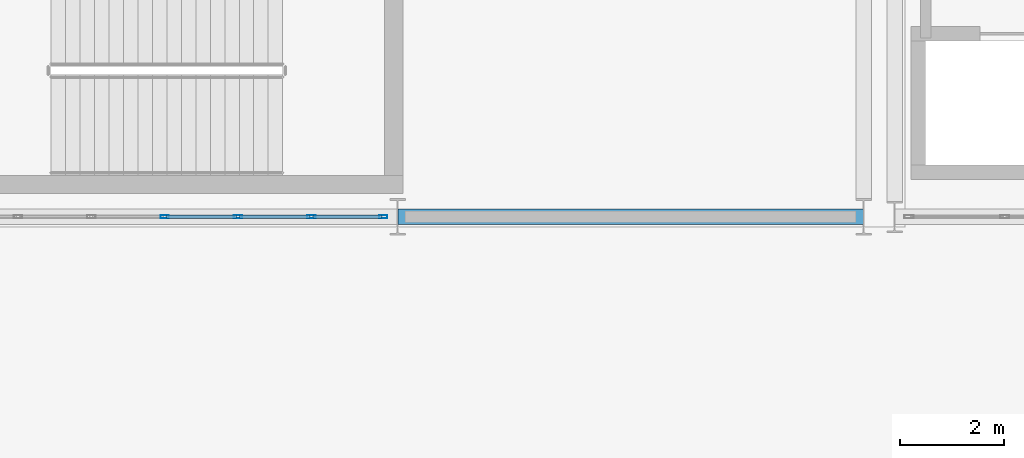
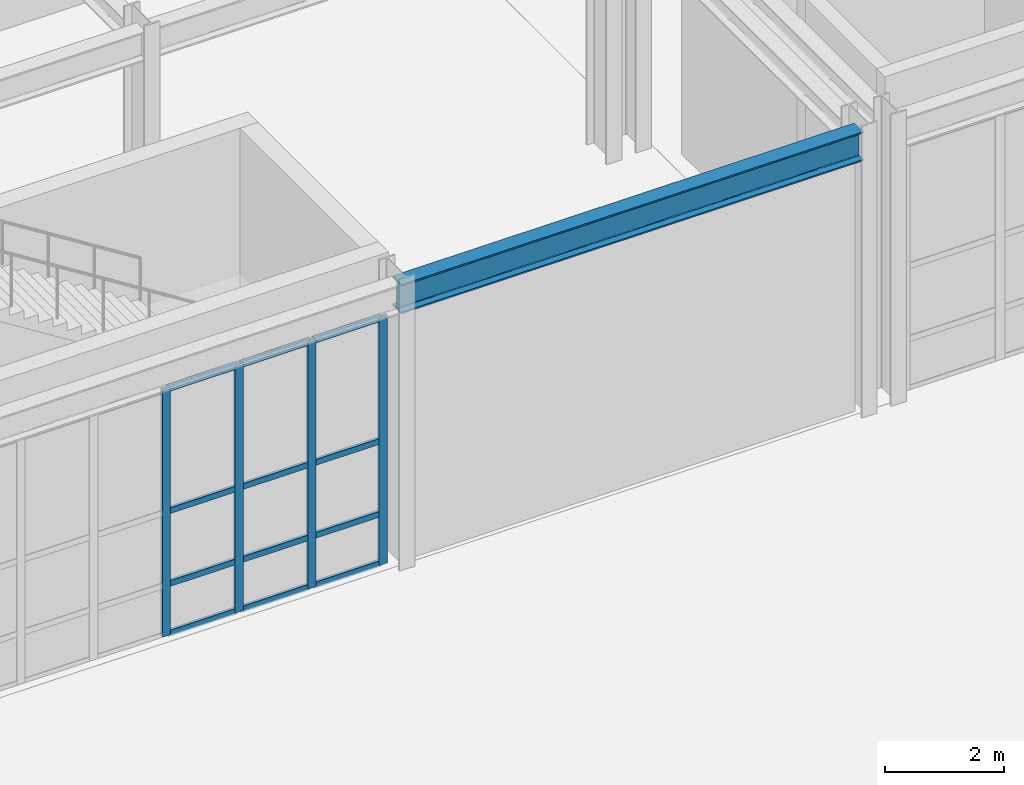
# One storey, part 66 of 146: 16 members, 1 beam, 1 element without a shape of its own.
"""IFC4 building model written with IfcOpenShell, lengths in metres."""

from ifc_helpers import new_model, si_unit, direction, frame, origin, origin_2d, place, context, subcontext, project, spatial, hollow_rectangle, i_section, extrude, material, material_profile, profile_set, type_object, element, aggregate, save


model = new_model("IFC4")

# Units and contexts
model_context = context("Model", 3, precision=1e-05, world=origin(), true_north=direction((0.0, 1.0)))
body_context = subcontext(model_context, "Body", "Model", "MODEL_VIEW")
ifc_project = project(units=[si_unit("LENGTHUNIT", "METRE"), si_unit("AREAUNIT", "SQUARE_METRE"), si_unit("VOLUMEUNIT", "CUBIC_METRE"), si_unit("PLANEANGLEUNIT", "RADIAN"), si_unit("MASSUNIT", "GRAM", prefix="KILO")], contexts=[model_context])

# Site, building, storey
site_placement = place(None, origin())
site = spatial("IfcSite", under=ifc_project, at=site_placement, CompositionType="ELEMENT")
building_placement = place(site_placement, origin())
building = spatial("IfcBuilding", under=site, at=building_placement, Name="Kaldris Quays Convention Centre", CompositionType="ELEMENT")
storey_placement = place(building_placement, origin())
storey = spatial("IfcBuildingStorey", under=building, at=storey_placement, Name="L00", CompositionType="ELEMENT", Elevation=0.0)

# Curtain wall, members
ifc_material_1 = material(Name="Anodized aluminium AW-6060 and triple glazing", Category="aluminium")
curtain_wall_type = type_object("IfcCurtainWallType", Name="UNITISED CURTAIN WALL CW04", PredefinedType="NOTDEFINED", material=ifc_material_1)
curtain_wall_placement = place(storey_placement, origin())
curtain_wall = element("IfcCurtainWall", 1, at=curtain_wall_placement, inside=storey, type_object=curtain_wall_type, Name="L00 Unitised Curtain Wall CW04 106", PredefinedType="NOTDEFINED")
ifc_material_2 = material(Name="Anodized aluminium AW-6060", Category="aluminium")
ifc_material_profile_1 = material_profile(ifc_material_2, hollow_rectangle(XDim=0.06005859375, YDim=0.159912109375, WallThickness=0.00390625, at=origin_2d()), Name="RHS 160x60x4")
ifc_profile_set_1 = profile_set([ifc_material_profile_1], Name="Anodized aluminium AW-6060")
member_type_1 = type_object("IfcMemberType", Name="CURTAIN MULLION CWM1", PredefinedType="MULLION", material=ifc_profile_set_1)
member_1_placement = place(storey_placement, frame((132.5, 38.0, 0.0), z_axis=(0.0, 0.0, 1.0), x_axis=(0.0, 1.0, 0.0)))
member_1 = element("IfcMember", 2, at=member_1_placement, type_object=member_type_1, Name="CW04 mullion 4", PredefinedType="MULLION", context=body_context, shape_type="SweptSolid", body=[
    extrude(hollow_rectangle(XDim=0.06005859375, YDim=0.159912109375, WallThickness=0.00390625, at=origin_2d()), origin(), (0.0, 0.0, 1.0), 5.097900390625),
])
member_2_placement = place(storey_placement, frame((133.916748046875, 38.0, 0.0), z_axis=(0.0, 0.0, 1.0), x_axis=(0.0, 1.0, 0.0)))
member_2 = element("IfcMember", 3, at=member_2_placement, type_object=member_type_1, Name="CW04 mullion 5", PredefinedType="MULLION", context=body_context, shape_type="SweptSolid", body=[
    extrude(hollow_rectangle(XDim=0.06005859375, YDim=0.159912109375, WallThickness=0.00390625, at=origin_2d()), origin(), (0.0, 0.0, 1.0), 5.097900390625),
])
member_3_placement = place(storey_placement, frame((135.333251953125, 38.0, 0.0), z_axis=(0.0, 0.0, 1.0), x_axis=(0.0, 1.0, 0.0)))
member_3 = element("IfcMember", 4, at=member_3_placement, type_object=member_type_1, Name="CW04 mullion 6", PredefinedType="MULLION", context=body_context, shape_type="SweptSolid", body=[
    extrude(hollow_rectangle(XDim=0.06005859375, YDim=0.159912109375, WallThickness=0.00390625, at=origin_2d()), origin(), (0.0, 0.0, 1.0), 5.097900390625),
])
member_4_placement = place(storey_placement, frame((136.719970703125, 38.0, 0.0), z_axis=(0.0, 0.0, 1.0), x_axis=(0.0, 1.0, 0.0)))
member_4 = element("IfcMember", 5, at=member_4_placement, type_object=member_type_1, Name="CW04 mullion 7", PredefinedType="MULLION", context=body_context, shape_type="SweptSolid", body=[
    extrude(hollow_rectangle(XDim=0.06005859375, YDim=0.159912109375, WallThickness=0.00390625, at=origin_2d()), origin(), (0.0, 0.0, 1.0), 5.097900390625),
])
ifc_material_profile_2 = material_profile(ifc_material_2, hollow_rectangle(XDim=0.06005859375, YDim=0.1201171875, WallThickness=0.00390625, at=origin_2d()), Name="RHS 120x60x4")
ifc_profile_set_2 = profile_set([ifc_material_profile_2], Name="Anodized aluminium AW-6060")
member_type_2 = type_object("IfcMemberType", Name="CURTAIN TRANSOM CWT1", PredefinedType="USERDEFINED", material=ifc_profile_set_2)
member_5_placement = place(storey_placement, frame((132.530029296875, 38.0, 0.030029296875), z_axis=(1.0, 0.0, 0.0), x_axis=(0.0, 1.0, 0.0)))
member_5 = element("IfcMember", 6, at=member_5_placement, type_object=member_type_2, Name="CW04 transom 4.1", ObjectType="TRANSOM", PredefinedType="USERDEFINED", context=body_context, shape_type="SweptSolid", body=[
    extrude(hollow_rectangle(XDim=0.06005859375, YDim=0.1201171875, WallThickness=0.00390625, at=origin_2d()), origin(), (0.0, 0.0, 1.0), 1.356689453125),
])
member_6_placement = place(storey_placement, frame((132.530029296875, 38.0, 1.050048828125), z_axis=(1.0, 0.0, 0.0), x_axis=(0.0, 1.0, 0.0)))
member_6 = element("IfcMember", 7, at=member_6_placement, type_object=member_type_2, Name="CW04 transom 4.2", ObjectType="TRANSOM", PredefinedType="USERDEFINED", context=body_context, shape_type="SweptSolid", body=[
    extrude(hollow_rectangle(XDim=0.06005859375, YDim=0.1201171875, WallThickness=0.00390625, at=origin_2d()), origin(), (0.0, 0.0, 1.0), 1.356689453125),
])
member_7_placement = place(storey_placement, frame((132.530029296875, 38.0, 2.549072265625), z_axis=(1.0, 0.0, 0.0), x_axis=(0.0, 1.0, 0.0)))
member_7 = element("IfcMember", 8, at=member_7_placement, type_object=member_type_2, Name="CW04 transom 4.3", ObjectType="TRANSOM", PredefinedType="USERDEFINED", context=body_context, shape_type="SweptSolid", body=[
    extrude(hollow_rectangle(XDim=0.06005859375, YDim=0.1201171875, WallThickness=0.00390625, at=origin_2d()), origin(), (0.0, 0.0, 1.0), 1.356689453125),
])
member_8_placement = place(storey_placement, frame((132.530029296875, 38.0, 5.068115234375), z_axis=(1.0, 0.0, 0.0), x_axis=(0.0, 1.0, 0.0)))
member_8 = element("IfcMember", 9, at=member_8_placement, type_object=member_type_2, Name="CW04 transom 4.4", ObjectType="TRANSOM", PredefinedType="USERDEFINED", context=body_context, shape_type="SweptSolid", body=[
    extrude(hollow_rectangle(XDim=0.06005859375, YDim=0.1201171875, WallThickness=0.00390625, at=origin_2d()), origin(), (0.0, 0.0, 1.0), 1.356689453125),
])
member_9_placement = place(storey_placement, frame((133.94677734375, 38.0, 0.030029296875), z_axis=(1.0, 0.0, 0.0), x_axis=(0.0, 1.0, 0.0)))
member_9 = element("IfcMember", 10, at=member_9_placement, type_object=member_type_2, Name="CW04 transom 5.1", ObjectType="TRANSOM", PredefinedType="USERDEFINED", context=body_context, shape_type="SweptSolid", body=[
    extrude(hollow_rectangle(XDim=0.06005859375, YDim=0.1201171875, WallThickness=0.00390625, at=origin_2d()), origin(), (0.0, 0.0, 1.0), 1.3564453125),
])
member_10_placement = place(storey_placement, frame((133.94677734375, 38.0, 1.050048828125), z_axis=(1.0, 0.0, 0.0), x_axis=(0.0, 1.0, 0.0)))
member_10 = element("IfcMember", 11, at=member_10_placement, type_object=member_type_2, Name="CW04 transom 5.2", ObjectType="TRANSOM", PredefinedType="USERDEFINED", context=body_context, shape_type="SweptSolid", body=[
    extrude(hollow_rectangle(XDim=0.06005859375, YDim=0.1201171875, WallThickness=0.00390625, at=origin_2d()), origin(), (0.0, 0.0, 1.0), 1.3564453125),
])
member_11_placement = place(storey_placement, frame((133.94677734375, 38.0, 2.549072265625), z_axis=(1.0, 0.0, 0.0), x_axis=(0.0, 1.0, 0.0)))
member_11 = element("IfcMember", 12, at=member_11_placement, type_object=member_type_2, Name="CW04 transom 5.3", ObjectType="TRANSOM", PredefinedType="USERDEFINED", context=body_context, shape_type="SweptSolid", body=[
    extrude(hollow_rectangle(XDim=0.06005859375, YDim=0.1201171875, WallThickness=0.00390625, at=origin_2d()), origin(), (0.0, 0.0, 1.0), 1.3564453125),
])
member_12_placement = place(storey_placement, frame((133.94677734375, 38.0, 5.068115234375), z_axis=(1.0, 0.0, 0.0), x_axis=(0.0, 1.0, 0.0)))
member_12 = element("IfcMember", 13, at=member_12_placement, type_object=member_type_2, Name="CW04 transom 5.4", ObjectType="TRANSOM", PredefinedType="USERDEFINED", context=body_context, shape_type="SweptSolid", body=[
    extrude(hollow_rectangle(XDim=0.06005859375, YDim=0.1201171875, WallThickness=0.00390625, at=origin_2d()), origin(), (0.0, 0.0, 1.0), 1.3564453125),
])
member_13_placement = place(storey_placement, frame((135.36328125, 38.0, 0.030029296875), z_axis=(1.0, 0.0, 0.0), x_axis=(0.0, 1.0, 0.0)))
member_13 = element("IfcMember", 14, at=member_13_placement, type_object=member_type_2, Name="CW04 transom 6.1", ObjectType="TRANSOM", PredefinedType="USERDEFINED", context=body_context, shape_type="SweptSolid", body=[
    extrude(hollow_rectangle(XDim=0.06005859375, YDim=0.1201171875, WallThickness=0.00390625, at=origin_2d()), origin(), (0.0, 0.0, 1.0), 1.32666015625),
])
member_14_placement = place(storey_placement, frame((135.36328125, 38.0, 1.050048828125), z_axis=(1.0, 0.0, 0.0), x_axis=(0.0, 1.0, 0.0)))
member_14 = element("IfcMember", 15, at=member_14_placement, type_object=member_type_2, Name="CW04 transom 6.2", ObjectType="TRANSOM", PredefinedType="USERDEFINED", context=body_context, shape_type="SweptSolid", body=[
    extrude(hollow_rectangle(XDim=0.06005859375, YDim=0.1201171875, WallThickness=0.00390625, at=origin_2d()), origin(), (0.0, 0.0, 1.0), 1.32666015625),
])
member_15_placement = place(storey_placement, frame((135.36328125, 38.0, 2.549072265625), z_axis=(1.0, 0.0, 0.0), x_axis=(0.0, 1.0, 0.0)))
member_15 = element("IfcMember", 16, at=member_15_placement, type_object=member_type_2, Name="CW04 transom 6.3", ObjectType="TRANSOM", PredefinedType="USERDEFINED", context=body_context, shape_type="SweptSolid", body=[
    extrude(hollow_rectangle(XDim=0.06005859375, YDim=0.1201171875, WallThickness=0.00390625, at=origin_2d()), origin(), (0.0, 0.0, 1.0), 1.32666015625),
])
member_16_placement = place(storey_placement, frame((135.36328125, 38.0, 5.068115234375), z_axis=(1.0, 0.0, 0.0), x_axis=(0.0, 1.0, 0.0)))
member_16 = element("IfcMember", 17, at=member_16_placement, type_object=member_type_2, Name="CW04 transom 6.4", ObjectType="TRANSOM", PredefinedType="USERDEFINED", context=body_context, shape_type="SweptSolid", body=[
    extrude(hollow_rectangle(XDim=0.06005859375, YDim=0.1201171875, WallThickness=0.00390625, at=origin_2d()), origin(), (0.0, 0.0, 1.0), 1.32666015625),
])
aggregate(curtain_wall, [member_1, member_2, member_3, member_4, member_5, member_6, member_7, member_8, member_9, member_10, member_11, member_12, member_13, member_14, member_15, member_16])

# Beam
ifc_material_3 = material(Name="Steel S355J2", Category="steel")
ifc_material_profile_3 = material_profile(ifc_material_3, i_section(OverallWidth=0.300048828125, OverallDepth=0.60009765625, WebThickness=0.015380859375, FlangeThickness=0.030029296875, FilletRadius=0.027099609375, at=origin_2d()), Name="HEB 600")
ifc_profile_set_3 = profile_set([ifc_material_profile_3], Name="Steel S355J2")
beam_type = type_object("IfcBeamType", Name="STRUCTURAL BEAM BM05", PredefinedType="BEAM", material=ifc_profile_set_3)
beam_placement = place(storey_placement, frame((137.00244140625, 38.0, 5.423095703125), z_axis=(1.0, 0.0, 0.0), x_axis=(0.0, 1.0, 0.0)))
element("IfcBeam", 18, at=beam_placement, inside=storey, type_object=beam_type, Name="L00 Girder BM05 7", PredefinedType="BEAM", context=body_context, shape_type="SweptSolid", body=[
    extrude(i_section(OverallWidth=0.300048828125, OverallDepth=0.60009765625, WebThickness=0.015380859375, FlangeThickness=0.030029296875, FilletRadius=0.027099609375, at=origin_2d()), origin(), (0.0, 0.0, 1.0), 8.9951171875),
])

save(model, "model.ifc")
